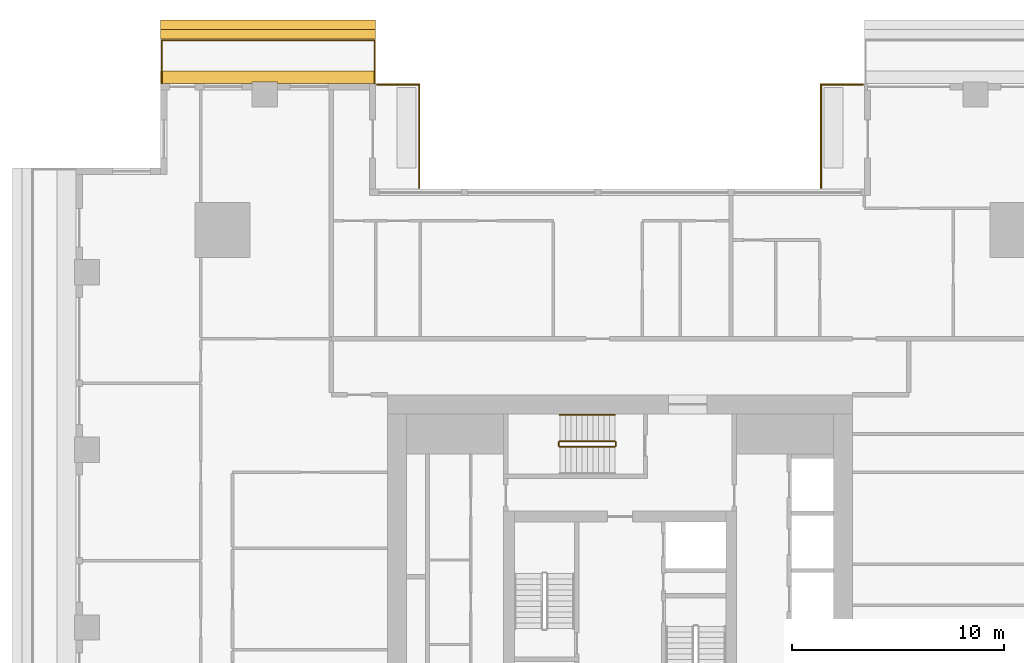
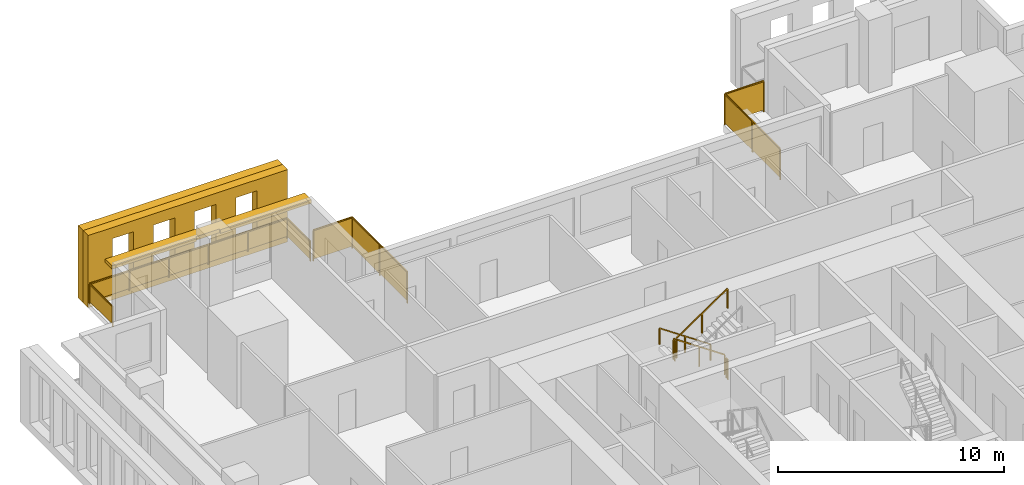
# One storey, part 14 of 15: 8 railings, 3 shading devices.
"""IFC4 building model written with IfcOpenShell, lengths in metres."""

from ifc_helpers import new_model, si_unit, direction, frame, origin, origin_2d, place, context, subcontext, project, spatial, polyline, rectangle, outline, extrude, material, layer, layer_set, type_object, element, save


model = new_model("IFC4")

# Units and contexts
model_context = context("Model", 3, precision=1e-05, world=origin(), true_north=direction((0.0, 1.0)))
body_context = subcontext(model_context, "Body", "Model", "MODEL_VIEW")
ifc_project = project(units=[si_unit("LENGTHUNIT", "METRE"), si_unit("AREAUNIT", "SQUARE_METRE"), si_unit("VOLUMEUNIT", "CUBIC_METRE"), si_unit("PLANEANGLEUNIT", "RADIAN"), si_unit("MASSUNIT", "GRAM", prefix="KILO")], contexts=[model_context])

# Site, building, storey
site_placement = place(None, origin())
site = spatial("IfcSite", under=ifc_project, at=site_placement, CompositionType="ELEMENT")
building_placement = place(site_placement, origin())
building = spatial("IfcBuilding", under=site, at=building_placement, Name="Khepri Terraces", CompositionType="ELEMENT")
storey_placement = place(building_placement, frame((0.0, 0.0, 165.0)))
storey = spatial("IfcBuildingStorey", under=building, at=storey_placement, Name="L39", CompositionType="ELEMENT", Elevation=165.0)

# Railings
ifc_material_1 = material(Name="Stainless steel grade 316", Category="steel")
railing_type_1 = type_object("IfcRailingType", Name="GRD-BAL-1100", PredefinedType="GUARDRAIL", material=ifc_material_1)
railing_1_placement = place(storey_placement, frame((-11.60009765625, 25.719970703125, 0.0)))
element("IfcRailing", 1, at=railing_1_placement, inside=storey, type_object=railing_type_1, Name="Balcony guard L39 N", PredefinedType="GUARDRAIL", context=body_context, shape_type="SweptSolid", body=[
    extrude(rectangle(XDim=0.050048828125, YDim=0.06005859375, at=origin_2d()), frame((0.0, 0.0, 1.070068359375), z_axis=(0.0, 1.0, 0.0), x_axis=(-1.0, 0.0, 0.0)), (0.0, 0.0, 1.0), 2.050048828125),
    extrude(rectangle(XDim=2.0, YDim=0.011962890625, at=origin_2d()), frame((0.0, 1.02490234375, 0.10009765625), z_axis=(0.0, 0.0, 1.0), x_axis=(0.0, 1.0, 0.0)), (0.0, 0.0, 1.0), 0.93994140625),
    extrude(rectangle(XDim=0.050048828125, YDim=0.06005859375, at=origin_2d()), frame((0.0, 2.050048828125, 1.070068359375), z_axis=(-1.0, 0.0, 0.0), x_axis=(0.0, -1.0, 0.0)), (0.0, 0.0, 1.0), 10.06982421875),
    extrude(rectangle(XDim=1.9638671875, YDim=0.011962890625, at=origin_2d()), frame((-1.007080078125, 2.050048828125, 0.10009765625), z_axis=(0.0, 0.0, 1.0), x_axis=(-1.0, 0.0, 0.0)), (0.0, 0.0, 1.0), 0.93994140625),
    extrude(rectangle(XDim=1.9638671875, YDim=0.011962890625, at=origin_2d()), frame((-3.02099609375, 2.050048828125, 0.10009765625), z_axis=(0.0, 0.0, 1.0), x_axis=(-1.0, 0.0, 0.0)), (0.0, 0.0, 1.0), 0.93994140625),
    extrude(rectangle(XDim=1.9638671875, YDim=0.011962890625, at=origin_2d()), frame((-5.034912109375, 2.050048828125, 0.10009765625), z_axis=(0.0, 0.0, 1.0), x_axis=(-1.0, 0.0, 0.0)), (0.0, 0.0, 1.0), 0.93994140625),
    extrude(rectangle(XDim=1.9638671875, YDim=0.011962890625, at=origin_2d()), frame((-7.048828125, 2.050048828125, 0.10009765625), z_axis=(0.0, 0.0, 1.0), x_axis=(-1.0, 0.0, 0.0)), (0.0, 0.0, 1.0), 0.93994140625),
    extrude(rectangle(XDim=1.9638671875, YDim=0.011962890625, at=origin_2d()), frame((-9.062744140625, 2.050048828125, 0.10009765625), z_axis=(0.0, 0.0, 1.0), x_axis=(-1.0, 0.0, 0.0)), (0.0, 0.0, 1.0), 0.93994140625),
    extrude(rectangle(XDim=0.050048828125, YDim=0.06005859375, at=origin_2d()), frame((-10.06982421875, 2.050048828125, 1.070068359375), z_axis=(0.0, -1.0, 0.0), x_axis=(1.0, 0.0, 0.0)), (0.0, 0.0, 1.0), 2.050048828125),
    extrude(rectangle(XDim=2.0, YDim=0.011962890625, at=origin_2d()), frame((-10.06982421875, 1.02490234375, 0.10009765625), z_axis=(0.0, 0.0, 1.0), x_axis=(0.0, -1.0, 0.0)), (0.0, 0.0, 1.0), 0.93994140625),
    extrude(rectangle(XDim=0.050048828125, YDim=0.050048828125, at=origin_2d()), origin(), (0.0, 0.0, 1.0), 1.0400390625),
    extrude(rectangle(XDim=0.050048828125, YDim=0.050048828125, at=origin_2d()), frame((0.0, 2.050048828125, 0.0)), (0.0, 0.0, 1.0), 1.0400390625),
    extrude(rectangle(XDim=0.050048828125, YDim=0.050048828125, at=origin_2d()), frame((-2.013916015625, 2.050048828125, 0.0)), (0.0, 0.0, 1.0), 1.0400390625),
    extrude(rectangle(XDim=0.050048828125, YDim=0.050048828125, at=origin_2d()), frame((-4.02783203125, 2.050048828125, 0.0)), (0.0, 0.0, 1.0), 1.0400390625),
    extrude(rectangle(XDim=0.050048828125, YDim=0.050048828125, at=origin_2d()), frame((-6.0419921875, 2.050048828125, 0.0)), (0.0, 0.0, 1.0), 1.0400390625),
    extrude(rectangle(XDim=0.050048828125, YDim=0.050048828125, at=origin_2d()), frame((-8.055908203125, 2.050048828125, 0.0)), (0.0, 0.0, 1.0), 1.0400390625),
    extrude(rectangle(XDim=0.050048828125, YDim=0.050048828125, at=origin_2d()), frame((-10.06982421875, 2.050048828125, 0.0)), (0.0, 0.0, 1.0), 1.0400390625),
    extrude(rectangle(XDim=0.050048828125, YDim=0.050048828125, at=origin_2d()), frame((-10.06982421875, 0.0, 0.0)), (0.0, 0.0, 1.0), 1.0400390625),
])
railing_type_2 = type_object("IfcRailingType", Name="GRD-TERR-1700", PredefinedType="GUARDRAIL", material=ifc_material_1)
railing_2_placement = place(storey_placement, frame((9.5, 20.7900390625, 0.0)))
element("IfcRailing", 2, at=railing_2_placement, inside=storey, type_object=railing_type_2, Name="Terrace guard L39", PredefinedType="GUARDRAIL", context=body_context, shape_type="SweptSolid", body=[
    extrude(rectangle(XDim=0.050048828125, YDim=0.06005859375, at=origin_2d()), frame((0.0, 0.0, 1.669921875), z_axis=(0.0, 1.0, 0.0), x_axis=(-1.0, 0.0, 0.0)), (0.0, 0.0, 1.0), 4.8798828125),
    extrude(rectangle(XDim=2.389892578125, YDim=0.011962890625, at=origin_2d()), frame((0.0, 1.219970703125, 0.10009765625), z_axis=(0.0, 0.0, 1.0), x_axis=(0.0, 1.0, 0.0)), (0.0, 0.0, 1.0), 1.539794921875),
    extrude(rectangle(XDim=2.389892578125, YDim=0.011962890625, at=origin_2d()), frame((0.0, 3.659912109375, 0.10009765625), z_axis=(0.0, 0.0, 1.0), x_axis=(0.0, 1.0, 0.0)), (0.0, 0.0, 1.0), 1.539794921875),
    extrude(rectangle(XDim=0.050048828125, YDim=0.06005859375, at=origin_2d()), frame((0.0, 4.8798828125, 1.669921875), z_axis=(1.0, 0.0, 0.0), x_axis=(0.0, 1.0, 0.0)), (0.0, 0.0, 1.0), 1.97998046875),
    extrude(rectangle(XDim=1.929931640625, YDim=0.011962890625, at=origin_2d()), frame((0.989990234375, 4.8798828125, 0.10009765625), z_axis=(0.0, 0.0, 1.0), x_axis=(1.0, 0.0, 0.0)), (0.0, 0.0, 1.0), 1.539794921875),
    extrude(rectangle(XDim=0.050048828125, YDim=0.050048828125, at=origin_2d()), origin(), (0.0, 0.0, 1.0), 1.639892578125),
    extrude(rectangle(XDim=0.050048828125, YDim=0.050048828125, at=origin_2d()), frame((0.0, 2.43994140625, 0.0)), (0.0, 0.0, 1.0), 1.639892578125),
    extrude(rectangle(XDim=0.050048828125, YDim=0.050048828125, at=origin_2d()), frame((0.0, 4.8798828125, 0.0)), (0.0, 0.0, 1.0), 1.639892578125),
    extrude(rectangle(XDim=0.050048828125, YDim=0.050048828125, at=origin_2d()), frame((1.97998046875, 4.8798828125, 0.0)), (0.0, 0.0, 1.0), 1.639892578125),
])
railing_3_placement = place(storey_placement, frame((-11.47998046875, 25.669921875, 0.0)))
element("IfcRailing", 3, at=railing_3_placement, inside=storey, type_object=railing_type_2, Name="Terrace guard L39", PredefinedType="GUARDRAIL", context=body_context, shape_type="SweptSolid", body=[
    extrude(rectangle(XDim=0.050048828125, YDim=0.06005859375, at=origin_2d()), frame((0.0, 0.0, 1.669921875), z_axis=(1.0, 0.0, 0.0), x_axis=(0.0, 1.0, 0.0)), (0.0, 0.0, 1.0), 1.97998046875),
    extrude(rectangle(XDim=1.929931640625, YDim=0.011962890625, at=origin_2d()), frame((0.989990234375, 0.0, 0.10009765625), z_axis=(0.0, 0.0, 1.0), x_axis=(1.0, 0.0, 0.0)), (0.0, 0.0, 1.0), 1.539794921875),
    extrude(rectangle(XDim=0.050048828125, YDim=0.06005859375, at=origin_2d()), frame((1.97998046875, 0.0, 1.669921875), z_axis=(0.0, -1.0, 0.0), x_axis=(1.0, 0.0, 0.0)), (0.0, 0.0, 1.0), 4.8798828125),
    extrude(rectangle(XDim=2.389892578125, YDim=0.011962890625, at=origin_2d()), frame((1.97998046875, -1.219970703125, 0.10009765625), z_axis=(0.0, 0.0, 1.0), x_axis=(0.0, -1.0, 0.0)), (0.0, 0.0, 1.0), 1.539794921875),
    extrude(rectangle(XDim=2.389892578125, YDim=0.011962890625, at=origin_2d()), frame((1.97998046875, -3.659912109375, 0.10009765625), z_axis=(0.0, 0.0, 1.0), x_axis=(0.0, -1.0, 0.0)), (0.0, 0.0, 1.0), 1.539794921875),
    extrude(rectangle(XDim=0.050048828125, YDim=0.050048828125, at=origin_2d()), origin(), (0.0, 0.0, 1.0), 1.639892578125),
    extrude(rectangle(XDim=0.050048828125, YDim=0.050048828125, at=origin_2d()), frame((1.97998046875, 0.0, 0.0)), (0.0, 0.0, 1.0), 1.639892578125),
    extrude(rectangle(XDim=0.050048828125, YDim=0.050048828125, at=origin_2d()), frame((1.97998046875, -2.43994140625, 0.0)), (0.0, 0.0, 1.0), 1.639892578125),
    extrude(rectangle(XDim=0.050048828125, YDim=0.050048828125, at=origin_2d()), frame((1.97998046875, -4.8798828125, 0.0)), (0.0, 0.0, 1.0), 1.639892578125),
])
ifc_material_2 = material(Name="Stainless steel 316", Category="steel")
railing_type_3 = type_object("IfcRailingType", Name="RL-CORE-GUARD", PredefinedType="GUARDRAIL", material=ifc_material_2)
railing_4_placement = place(storey_placement, frame((-0.25, 8.800048828125, 0.17724609375)))
element("IfcRailing", 4, at=railing_4_placement, inside=storey, type_object=railing_type_3, Name="L39 ST-3 stair guard 1", PredefinedType="GUARDRAIL", context=body_context, shape_type="SweptSolid", body=[
    extrude(rectangle(XDim=0.050048828125, YDim=0.06005859375, at=origin_2d()), frame((0.0, 0.0, 1.070068359375), z_axis=(-0.826240473404, 0.0, 0.563317565952), x_axis=(0.0, -1.0, 0.0)), (0.0, 0.0, 1.0), 3.14697265625),
    extrude(rectangle(XDim=0.050048828125, YDim=0.050048828125, at=origin_2d()), origin(), (0.0, 0.0, 1.0), 1.0400390625),
    extrude(rectangle(XDim=0.050048828125, YDim=0.050048828125, at=origin_2d()), frame((-1.300048828125, 0.0, 0.88623046875)), (0.0, 0.0, 1.0), 1.0400390625),
    extrude(rectangle(XDim=0.050048828125, YDim=0.050048828125, at=origin_2d()), frame((-2.60009765625, 0.0, 1.772705078125)), (0.0, 0.0, 1.0), 1.0400390625),
])
railing_5_placement = place(storey_placement, frame((-2.89990234375, 8.75, 1.949951171875)))
element("IfcRailing", 5, at=railing_5_placement, inside=storey, type_object=railing_type_3, Name="L39 ST-3 stair guard 2", PredefinedType="GUARDRAIL", context=body_context, shape_type="SweptSolid", body=[
    extrude(rectangle(XDim=0.050048828125, YDim=0.06005859375, at=origin_2d()), frame((0.0, 0.0, 1.070068359375), z_axis=(0.0, -1.0, 0.0), x_axis=(1.0, 0.0, 0.0)), (0.0, 0.0, 1.0), 0.14990234375),
    extrude(rectangle(XDim=0.050048828125, YDim=0.050048828125, at=origin_2d()), origin(), (0.0, 0.0, 1.0), 1.0400390625),
    extrude(rectangle(XDim=0.050048828125, YDim=0.050048828125, at=origin_2d()), frame((0.0, -0.14990234375, 0.0)), (0.0, 0.0, 1.0), 1.0400390625),
])
railing_6_placement = place(storey_placement, frame((-2.85009765625, 8.550048828125, 2.127197265625)))
element("IfcRailing", 6, at=railing_6_placement, inside=storey, type_object=railing_type_3, Name="L39 ST-3 stair guard 3", PredefinedType="GUARDRAIL", context=body_context, shape_type="SweptSolid", body=[
    extrude(rectangle(XDim=0.050048828125, YDim=0.06005859375, at=origin_2d()), frame((0.0, 0.0, 1.070068359375), z_axis=(0.826240473404, 0.0, 0.563317565952), x_axis=(0.0, 1.0, 0.0)), (0.0, 0.0, 1.0), 3.14697265625),
    extrude(rectangle(XDim=0.050048828125, YDim=0.050048828125, at=origin_2d()), origin(), (0.0, 0.0, 1.0), 1.0400390625),
    extrude(rectangle(XDim=0.050048828125, YDim=0.050048828125, at=origin_2d()), frame((1.300048828125, 0.0, 0.88623046875)), (0.0, 0.0, 1.0), 1.0400390625),
    extrude(rectangle(XDim=0.050048828125, YDim=0.050048828125, at=origin_2d()), frame((2.60009765625, 0.0, 1.772705078125)), (0.0, 0.0, 1.0), 1.0400390625),
])
railing_7_placement = place(storey_placement, frame((-0.199951171875, 8.75, 0.0)))
element("IfcRailing", 7, at=railing_7_placement, inside=storey, type_object=railing_type_3, Name="L39 ST-3 stair guard 4", PredefinedType="GUARDRAIL", context=body_context, shape_type="SweptSolid", body=[
    extrude(rectangle(XDim=0.050048828125, YDim=0.06005859375, at=origin_2d()), frame((0.0, 0.0, 1.070068359375), z_axis=(0.0, -1.0, 0.0), x_axis=(1.0, 0.0, 0.0)), (0.0, 0.0, 1.0), 0.14990234375),
    extrude(rectangle(XDim=0.050048828125, YDim=0.050048828125, at=origin_2d()), origin(), (0.0, 0.0, 1.0), 1.0400390625),
    extrude(rectangle(XDim=0.050048828125, YDim=0.050048828125, at=origin_2d()), frame((0.0, -0.14990234375, 0.0)), (0.0, 0.0, 1.0), 1.0400390625),
])
railing_type_4 = type_object("IfcRailingType", Name="RL-CORE-HANDRAIL", PredefinedType="HANDRAIL", material=ifc_material_2)
railing_8_placement = place(storey_placement, frame((-0.25, 10.050048828125, 0.17724609375)))
element("IfcRailing", 8, at=railing_8_placement, inside=storey, type_object=railing_type_4, Name="L39 ST-3 stair handrail 1", PredefinedType="HANDRAIL", context=body_context, shape_type="SweptSolid", body=[
    extrude(rectangle(XDim=0.050048828125, YDim=0.050048828125, at=origin_2d()), frame((0.0, 0.0, 0.875), z_axis=(-0.826240473404, 0.0, 0.563317565952), x_axis=(0.0, -1.0, 0.0)), (0.0, 0.0, 1.0), 3.14697265625),
    extrude(rectangle(XDim=0.050048828125, YDim=0.050048828125, at=origin_2d()), origin(), (0.0, 0.0, 1.0), 0.849853515625),
    extrude(rectangle(XDim=0.050048828125, YDim=0.050048828125, at=origin_2d()), frame((-1.300048828125, 0.0, 0.88623046875)), (0.0, 0.0, 1.0), 0.849853515625),
    extrude(rectangle(XDim=0.050048828125, YDim=0.050048828125, at=origin_2d()), frame((-2.60009765625, 0.0, 1.772705078125)), (0.0, 0.0, 1.0), 0.849853515625),
])

# Shading devices
ifc_material_3 = material(Name="Precast concrete C50/60 warm stone", Category="masonry")
shading_device_type_1 = type_object("IfcShadingDeviceType", Name="SCR-CELL-INNER-450", PredefinedType="USERDEFINED", material=ifc_material_3)
shading_device_1_placement = place(storey_placement, frame((-11.550048828125, 27.820068359375, -0.25), z_axis=(0.0, 1.0, 0.0), x_axis=(-1.0, 0.0, 0.0)))
element("IfcShadingDevice", 9, at=shading_device_1_placement, inside=storey, type_object=shading_device_type_1, Name="Cell screen L39 N in", ObjectType="SCREEN", PredefinedType="USERDEFINED", context=body_context, shape_type="SweptSolid", body=[
    extrude(outline(polyline([(0.0, 0.0), (10.169921875, 0.0), (10.169921875, 3.89990234375), (0.0, 3.89990234375), (0.0, 0.0)]), holes=[polyline([(1.556640625, 0.699951171875), (2.643310546875, 0.699951171875), (2.643310546875, 3.300048828125), (1.556640625, 3.300048828125), (1.556640625, 0.699951171875)]), polyline([(3.656494140625, 0.699951171875), (4.743408203125, 0.699951171875), (4.743408203125, 3.300048828125), (3.656494140625, 3.300048828125), (3.656494140625, 0.699951171875)]), polyline([(5.756591796875, 0.699951171875), (6.843505859375, 0.699951171875), (6.843505859375, 3.300048828125), (5.756591796875, 3.300048828125), (5.756591796875, 0.699951171875)]), polyline([(7.856689453125, 0.699951171875), (8.943359375, 0.699951171875), (8.943359375, 3.300048828125), (7.856689453125, 3.300048828125), (7.856689453125, 0.699951171875)])]), origin(), (0.0, 0.0, 1.0), 0.449951171875),
])
shading_device_type_2 = type_object("IfcShadingDeviceType", Name="SCR-CELL-OUTER-450", PredefinedType="USERDEFINED", material=ifc_material_3)
shading_device_2_placement = place(storey_placement, frame((-11.550048828125, 28.27001953125, -0.25), z_axis=(0.0, 1.0, 0.0), x_axis=(-1.0, 0.0, 0.0)))
element("IfcShadingDevice", 10, at=shading_device_2_placement, inside=storey, type_object=shading_device_type_2, Name="Cell screen L39 N out", ObjectType="SCREEN", PredefinedType="USERDEFINED", context=body_context, shape_type="SweptSolid", body=[
    extrude(outline(polyline([(0.0, 0.0), (10.169921875, 0.0), (10.169921875, 3.89990234375), (0.0, 3.89990234375), (0.0, 0.0)]), holes=[polyline([(1.20654296875, 0.449951171875), (2.993408203125, 0.449951171875), (2.993408203125, 3.550048828125), (1.20654296875, 3.550048828125), (1.20654296875, 0.449951171875)]), polyline([(3.306640625, 0.449951171875), (5.093505859375, 0.449951171875), (5.093505859375, 3.550048828125), (3.306640625, 3.550048828125), (3.306640625, 0.449951171875)]), polyline([(5.406494140625, 0.449951171875), (7.193359375, 0.449951171875), (7.193359375, 3.550048828125), (5.406494140625, 3.550048828125), (5.406494140625, 0.449951171875)]), polyline([(7.506591796875, 0.449951171875), (9.29345703125, 0.449951171875), (9.29345703125, 3.550048828125), (7.506591796875, 3.550048828125), (7.506591796875, 0.449951171875)])]), origin(), (0.0, 0.0, 1.0), 0.449951171875),
])
ifc_layer = layer(ifc_material_3, 0.199951171875, Name="Precast concrete C50/60 warm stone", Category="masonry")
ifc_layer_set = layer_set([ifc_layer], Name="Precast concrete C50/60 warm stone")
shading_device_type_3 = type_object("IfcShadingDeviceType", Name="SSH-BAND-STONE-200-N", PredefinedType="USERDEFINED", material=ifc_layer_set)
shading_device_3_placement = place(storey_placement, frame((0.0, 0.0, 3.10009765625)))
element("IfcShadingDevice", 11, at=shading_device_3_placement, inside=storey, type_object=shading_device_type_3, Name="Sunshade band L39 N", ObjectType="SUNSHADE", PredefinedType="USERDEFINED", context=body_context, shape_type="SweptSolid", body=[
    extrude(outline(polyline([(-16.199951171875, 25.719970703125), (-11.550048828125, 25.719970703125), (-11.550048828125, 26.320068359375), (-21.719970703125, 26.320068359375), (-21.719970703125, 25.719970703125), (-17.39990234375, 25.719970703125), (-17.39990234375, 25.800048828125), (-16.199951171875, 25.800048828125), (-16.199951171875, 25.719970703125)])), origin(), (0.0, 0.0, 1.0), 0.199951171875),
])

save(model, "model.ifc")
